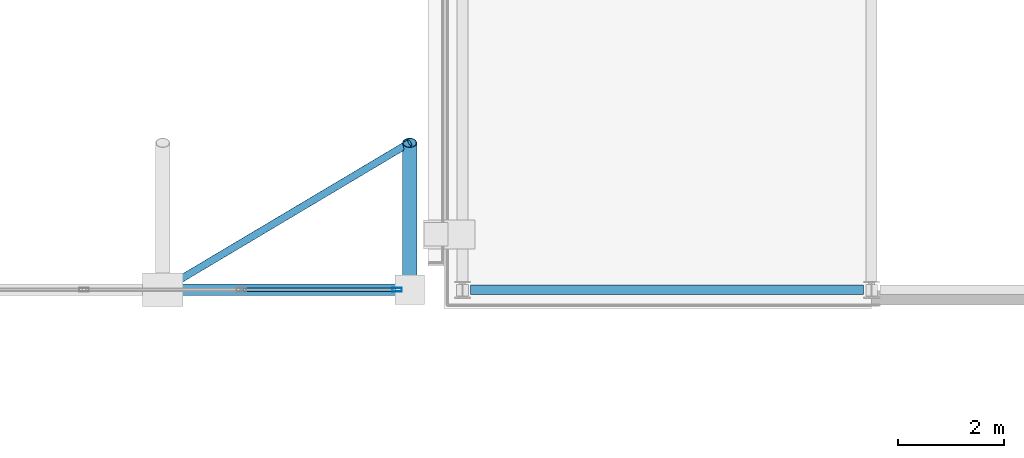
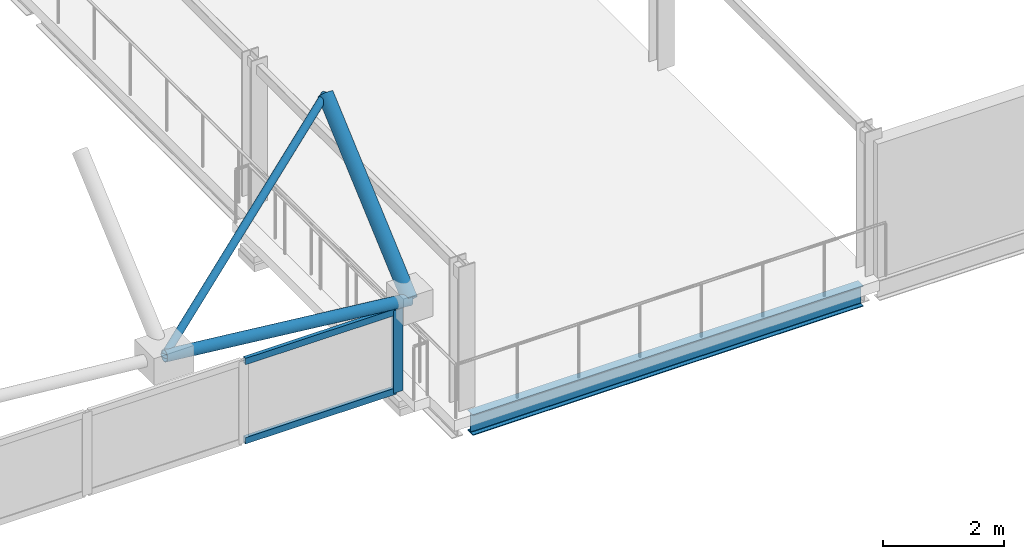
# One storey, part 40 of 60: 5 members, 2 beams, 1 element without a shape of its own.
"""IFC4 building model written with IfcOpenShell, lengths in metres."""

from ifc_helpers import new_model, si_unit, direction, frame, origin, origin_2d, place, context, subcontext, project, spatial, hollow_rectangle, hollow_circle, i_section, extrude, material, layer, layer_set, material_profile, profile_set, type_object, element, aggregate, save


model = new_model("IFC4")

# Units and contexts
model_context = context("Model", 3, precision=1e-05, world=origin(), true_north=direction((0.0, 1.0)))
body_context = subcontext(model_context, "Body", "Model", "MODEL_VIEW")
ifc_project = project(units=[si_unit("LENGTHUNIT", "METRE"), si_unit("AREAUNIT", "SQUARE_METRE"), si_unit("VOLUMEUNIT", "CUBIC_METRE"), si_unit("PLANEANGLEUNIT", "RADIAN"), si_unit("MASSUNIT", "GRAM", prefix="KILO")], contexts=[model_context])

# Site, building, storey
site_placement = place(None, origin())
site = spatial("IfcSite", under=ifc_project, at=site_placement, CompositionType="ELEMENT")
building_placement = place(site_placement, origin())
building = spatial("IfcBuilding", under=site, at=building_placement, Name="Quillay Park Conservatory", CompositionType="ELEMENT")
storey_placement = place(building_placement, frame((0.0, 0.0, 9.89990234375)))
storey = spatial("IfcBuildingStorey", under=building, at=storey_placement, Name="L02", CompositionType="ELEMENT", Elevation=9.89990234375)

# Curtain wall, members
ifc_material_1 = material(Name="Thermally Broken Anodised Aluminium 6063-T6", Category="aluminium")
ifc_layer = layer(ifc_material_1, 0.219970703125)
ifc_layer_set = layer_set([ifc_layer], Name="UNITISED CURTAIN WALL CONSERVATORY (Thermally Broken Anodised Aluminium 6063-T6)")
curtain_wall_type = type_object("IfcCurtainWallType", Name="UNITISED CURTAIN WALL CONSERVATORY", PredefinedType="USERDEFINED", material=ifc_layer_set)
curtain_wall_placement = place(storey_placement, origin())
curtain_wall = element("IfcCurtainWall", 1, at=curtain_wall_placement, inside=storey, type_object=curtain_wall_type, Name="L02 Unitised Curtain Wall 195", ObjectType="UNITISED CURTAIN WALL", PredefinedType="USERDEFINED")
ifc_material_2 = material(Name="Thermally Broken Anodised Aluminium 6063-T6", Category="aluminium")
ifc_material_profile_1 = material_profile(ifc_material_2, hollow_rectangle(XDim=0.070068359375, YDim=0.179931640625, WallThickness=0.00390625, at=origin_2d()), Name="AL70x180x4")
ifc_profile_set_1 = profile_set([ifc_material_profile_1], Name="Thermally Broken Anodised Aluminium 6063-T6")
member_type_1 = type_object("IfcMemberType", Name="CURTAIN WALL MULLION 70 X180", PredefinedType="MULLION", material=ifc_profile_set_1)
member_1_placement = place(storey_placement, frame((114.613037109375, 85.550048828125, 0.7001953125), z_axis=(0.0, 0.0, 1.0), x_axis=(0.0, -1.0, 0.0)))
member_1 = element("IfcMember", 2, at=member_1_placement, type_object=member_type_1, Name="CW-C1 mullion 1", PredefinedType="MULLION", context=body_context, shape_type="SweptSolid", body=[
    extrude(hollow_rectangle(XDim=0.070068359375, YDim=0.179931640625, WallThickness=0.00390625, at=origin_2d()), origin(), (0.0, 0.0, 1.0), 1.665771484375),
])
ifc_material_3 = material(Name="Thermally Broken Anodised Aluminium 6063-T6", Category="aluminium")
ifc_material_profile_2 = material_profile(ifc_material_3, hollow_rectangle(XDim=0.070068359375, YDim=0.1298828125, WallThickness=0.003173828125, at=origin_2d()), Name="AL70x130x3.2")
ifc_profile_set_2 = profile_set([ifc_material_profile_2], Name="Thermally Broken Anodised Aluminium 6063-T6")
member_type_2 = type_object("IfcMemberType", Name="CURTAIN WALL TRANSOM 70 X130", PredefinedType="USERDEFINED", material=ifc_profile_set_2)
member_2_placement = place(storey_placement, frame((114.577880859375, 85.550048828125, 0.735107421875), z_axis=(-1.0, 0.0, 0.0), x_axis=(0.0, -1.0, 0.0)))
member_2 = element("IfcMember", 3, at=member_2_placement, type_object=member_type_2, Name="CW-C1 transom 1.1", ObjectType="TRANSOM", PredefinedType="USERDEFINED", context=body_context, shape_type="SweptSolid", body=[
    extrude(hollow_rectangle(XDim=0.070068359375, YDim=0.1298828125, WallThickness=0.003173828125, at=origin_2d()), origin(), (0.0, 0.0, 1.0), 2.878662109375),
])
member_3_placement = place(storey_placement, frame((114.577880859375, 85.550048828125, 2.3310546875), z_axis=(-1.0, 0.0, 0.0), x_axis=(0.0, -1.0, 0.0)))
member_3 = element("IfcMember", 4, at=member_3_placement, type_object=member_type_2, Name="CW-C1 transom 1.2", ObjectType="TRANSOM", PredefinedType="USERDEFINED", context=body_context, shape_type="SweptSolid", body=[
    extrude(hollow_rectangle(XDim=0.070068359375, YDim=0.1298828125, WallThickness=0.003173828125, at=origin_2d()), origin(), (0.0, 0.0, 1.0), 2.878662109375),
])
aggregate(curtain_wall, [member_1, member_2, member_3])

# Beam
ifc_material_4 = material(Name="Steel S355J2H", Category="steel")
ifc_material_profile_3 = material_profile(ifc_material_4, hollow_circle(Radius=0.136474609375, WallThickness=0.012451171875, at=origin_2d()), Name="CHS273x12.5")
ifc_profile_set_3 = profile_set([ifc_material_profile_3], Name="Steel S355J2H")
beam_type_1 = type_object("IfcBeamType", Name="GRIDSHELL ARCH BEAM CHS273", PredefinedType="USERDEFINED", material=ifc_profile_set_3)
beam_1_placement = place(storey_placement, frame((114.85009765625, 85.550048828125, 2.466064453125), z_axis=(0.0, 0.751437038609, 0.659804802201), x_axis=(-1.0, 0.0, 0.0)))
element("IfcBeam", 5, at=beam_1_placement, inside=storey, type_object=beam_type_1, Name="Gridshell member GS-ARCH-18-00", ObjectType="GRIDSHELL ARCH BEAM", PredefinedType="USERDEFINED", context=body_context, shape_type="SweptSolid", body=[
    extrude(hollow_circle(Radius=0.136474609375, WallThickness=0.012451171875, at=origin_2d()), origin(), (0.0, 0.0, 1.0), 3.7060546875),
])

# Members
ifc_material_5 = material(Name="Steel S355J2H", Category="steel")
ifc_material_profile_4 = material_profile(ifc_material_5, hollow_circle(Radius=0.109619140625, WallThickness=0.010009765625, at=origin_2d()), Name="CHS219.1x10")
ifc_profile_set_4 = profile_set([ifc_material_profile_4], Name="Steel S355J2H")
member_type_3 = type_object("IfcMemberType", Name="GRIDSHELL ARCH RIB CHS219", PredefinedType="USERDEFINED", material=ifc_profile_set_4)
member_4_placement = place(storey_placement, frame((110.172119140625, 85.550048828125, 2.962158203125), z_axis=(0.994423821707, 0.0, -0.105457398137), x_axis=(0.0, 1.0, 0.0)))
element("IfcMember", 6, at=member_4_placement, inside=storey, type_object=member_type_3, Name="Gridshell member GS-RIB-17-00", ObjectType="GRIDSHELL ARCH RIB", PredefinedType="USERDEFINED", context=body_context, shape_type="SweptSolid", body=[
    extrude(hollow_circle(Radius=0.109619140625, WallThickness=0.010009765625, at=origin_2d()), origin(), (0.0, 0.0, 1.0), 4.7041015625),
])
ifc_material_6 = material(Name="Steel S355J2H", Category="steel")
ifc_material_profile_5 = material_profile(ifc_material_6, hollow_circle(Radius=0.06982421875, WallThickness=0.00634765625, at=origin_2d()), Name="CHS139.7x6.3")
ifc_profile_set_5 = profile_set([ifc_material_profile_5], Name="Steel S355J2H")
member_type_4 = type_object("IfcMemberType", Name="GRIDSHELL DIAGRID BRACE CHS140", PredefinedType="BRACE", material=ifc_profile_set_5)
member_5_placement = place(storey_placement, frame((110.172119140625, 85.550048828125, 2.962158203125), z_axis=(0.808972411478, 0.481600558308, 0.337082393051), x_axis=(-0.511538257491, 0.85926050248, 0.0)))
element("IfcMember", 7, at=member_5_placement, inside=storey, type_object=member_type_4, Name="Gridshell member GS-DIAG-17-00", PredefinedType="BRACE", context=body_context, shape_type="SweptSolid", body=[
    extrude(hollow_circle(Radius=0.06982421875, WallThickness=0.00634765625, at=origin_2d()), origin(), (0.0, 0.0, 1.0), 5.78271484375),
])

# Beam
ifc_material_7 = material(Name="Steel ASTM A992 Grade 50", Category="steel")
ifc_material_profile_6 = material_profile(ifc_material_7, i_section(OverallWidth=0.179931640625, OverallDepth=0.4130859375, WebThickness=0.009765625, FlangeThickness=0.01611328125, FilletRadius=0.011962890625, at=origin_2d()), Name="W410x74")
ifc_profile_set_6 = profile_set([ifc_material_profile_6], Name="Steel ASTM A992 Grade 50")
beam_type_2 = type_object("IfcBeamType", Name="PERIMETER SPANDREL BEAM W410 X74", PredefinedType="SPANDREL", material=ifc_profile_set_6)
beam_2_placement = place(storey_placement, frame((116.0048828125, 85.550048828125, -0.426513671875), z_axis=(1.0, 0.0, 0.0), x_axis=(0.0, 1.0, 0.0)))
element("IfcBeam", 8, at=beam_2_placement, inside=storey, type_object=beam_type_2, Name="L02 beam BM-V2P-1730", PredefinedType="SPANDREL", context=body_context, shape_type="SweptSolid", body=[
    extrude(i_section(OverallWidth=0.179931640625, OverallDepth=0.4130859375, WebThickness=0.009765625, FlangeThickness=0.01611328125, FilletRadius=0.011962890625, at=origin_2d()), origin(), (0.0, 0.0, 1.0), 7.440185546875),
])

save(model, "model.ifc")
